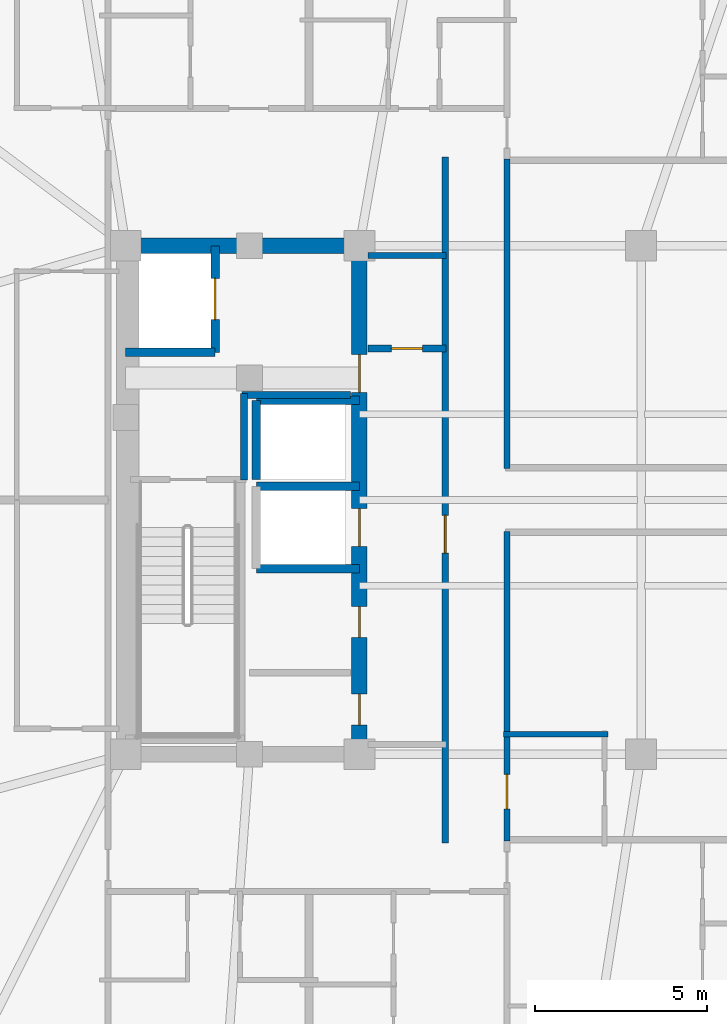
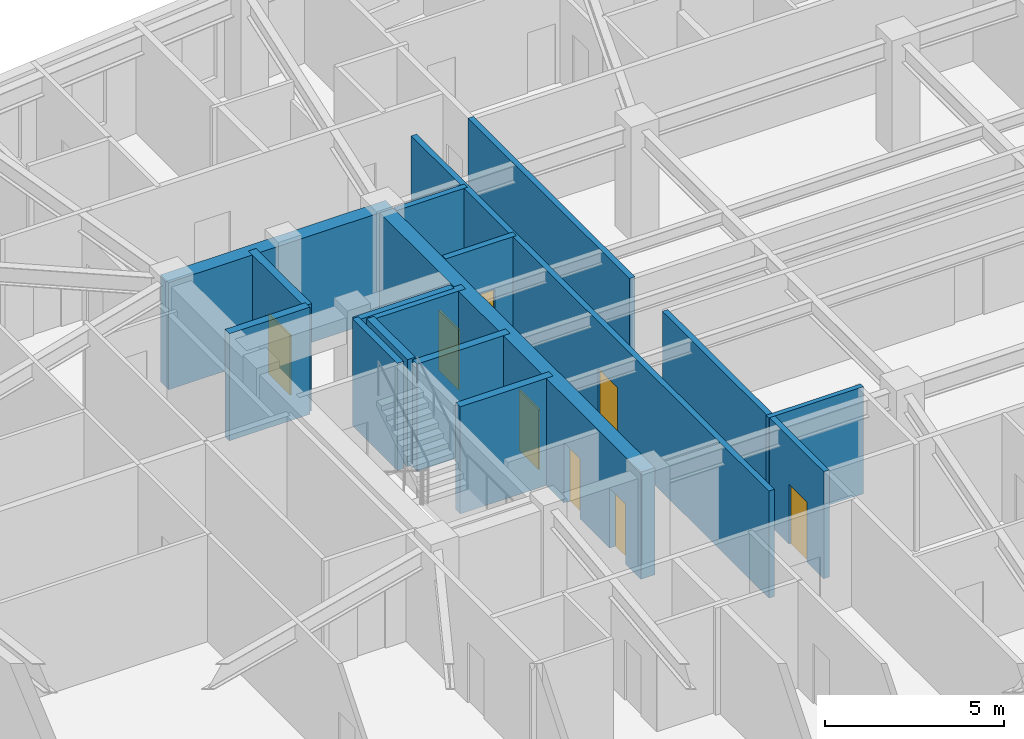
# One storey, part 4 of 12: 16 walls, 8 doors, 8 openings.
"""IFC4 building model written with IfcOpenShell, lengths in metres."""

import ifcopenshell
import ifcopenshell.guid

model = None  # the IFC model being written
_history = None  # IfcOwnerHistory: only IFC2X3 demands one
_inside = {}  # id of a spatial element -> (the spatial element, [elements in it])
_under = {}  # id of a project, library or spatial element -> (it, [spatial elements below it])
_declared = {}  # id of a project -> (the project, [libraries it declares])
_typed = {}  # id of a type object -> (the type object, [elements of that type])
_made_of = {}  # id of a material, layer set ... -> (it, [elements and type objects made of it])


def new_model(schema):
    """Start an empty IFC model of exactly this schema.

    Asked for "IFC4X3", IfcOpenShell would pick the latest addendum, in which some entities
    have other attributes; the version numbers below select the first issue.
    IFC2X3 requires an IfcOwnerHistory on every rooted entity: one is made here for all.
    """
    global model, _history
    if schema == "IFC4X3":
        model = ifcopenshell.file(schema_version=(4, 3, 0, 0))
    else:
        model = ifcopenshell.file(schema=schema)
    _inside.clear()
    _under.clear()
    _declared.clear()
    _typed.clear()
    _made_of.clear()
    _history = None
    if model.schema == "IFC2X3":
        org = make("IfcOrganization", Name="unknown")
        user = make(
            "IfcPersonAndOrganization",
            ThePerson=make("IfcPerson", FamilyName="unknown"),
            TheOrganization=org,
        )
        app = make(
            "IfcApplication",
            ApplicationDeveloper=org,
            Version="unknown",
            ApplicationFullName="unknown",
            ApplicationIdentifier="unknown",
        )
        _history = make(
            "IfcOwnerHistory",
            OwningUser=user,
            OwningApplication=app,
            ChangeAction="ADDED",
            CreationDate=0,
        )
    return model


def make(cls, **values):
    """One entity of the class cls with the attributes given. An attribute that is None is left unset."""
    return model.create_entity(
        cls, **{name: value for name, value in values.items() if value is not None}
    )


def rooted(cls, **values):
    """An entity with a GlobalId (a new one), such as an element, a storey or a relation."""
    return make(cls, GlobalId=ifcopenshell.guid.new(), OwnerHistory=_history, **values)


def si_unit(unit_type, name, prefix=None):
    """IfcSIUnit, for example si_unit("LENGTHUNIT", "METRE", prefix="MILLI")."""
    return make("IfcSIUnit", UnitType=unit_type, Prefix=prefix, Name=name)


def assignment(units):
    """IfcUnitAssignment: the units of a project."""
    return None if units is None else make("IfcUnitAssignment", Units=units)


def point(xyz):
    """IfcCartesianPoint."""
    return None if xyz is None else make("IfcCartesianPoint", Coordinates=xyz)


def direction(xyz):
    """IfcDirection."""
    return None if xyz is None else make("IfcDirection", DirectionRatios=xyz)


def frame(location, z_axis=None, x_axis=None):
    """IfcAxis2Placement3D, a coordinate frame: its origin and axes. An axis left out is left unset."""
    return make(
        "IfcAxis2Placement3D",
        Location=point(location),
        Axis=direction(z_axis),
        RefDirection=direction(x_axis),
    )


def frame_2d(location, x_axis=None):
    """IfcAxis2Placement2D, a coordinate frame in the plane: its origin and x axis."""
    return make(
        "IfcAxis2Placement2D", Location=point(location), RefDirection=direction(x_axis)
    )


def origin():
    """The frame at (0, 0, 0) with its axes left unset."""
    return frame((0.0, 0.0, 0.0))


def place(relative_to, where):
    """IfcLocalPlacement: puts the frame where relative to a parent placement (None: the world)."""
    return make(
        "IfcLocalPlacement", PlacementRelTo=relative_to, RelativePlacement=where
    )


def context(
    kind, dimensions, precision=None, world=None, true_north=None, identifier=None
):
    """IfcGeometricRepresentationContext, for example the 3D "Model" context."""
    return make(
        "IfcGeometricRepresentationContext",
        ContextIdentifier=identifier,
        ContextType=kind,
        CoordinateSpaceDimension=dimensions,
        Precision=precision,
        WorldCoordinateSystem=world,
        TrueNorth=true_north,
    )


def subcontext(parent, identifier, kind, view, scale=None):
    """IfcGeometricRepresentationSubContext, for example "Body" below "Model"."""
    return make(
        "IfcGeometricRepresentationSubContext",
        ContextIdentifier=identifier,
        ContextType=kind,
        ParentContext=parent,
        TargetScale=scale,
        TargetView=view,
    )


def project(units=None, contexts=None):
    """IfcProject with its units and contexts."""
    return rooted(
        "IfcProject",
        Name="project",
        RepresentationContexts=contexts,
        UnitsInContext=assignment(units),
    )


def spatial(cls, under=None, at=None, **own):
    """A site, building, storey or space (cls), placed at a placement, below another one or the project."""
    s = rooted(cls, ObjectPlacement=at, **own)
    if under is not None:
        _under.setdefault(under.id(), (under, []))[1].append(s)
    return s


def profile(cls, at=None, kind="AREA", **sizes):
    """A parametric profile (cls). Its sizes go by their IFC names, for example OverallWidth=200.0."""
    return make(cls, ProfileType=kind, Position=at, **sizes)


def rectangle(**sizes):
    """IfcRectangleProfileDef."""
    return profile("IfcRectangleProfileDef", **sizes)


def extrude(swept, where, along, depth):
    """IfcExtrudedAreaSolid: the profile swept, set in the frame where, extruded along a direction by depth."""
    return make(
        "IfcExtrudedAreaSolid",
        SweptArea=swept,
        Position=where,
        ExtrudedDirection=direction(along),
        Depth=depth,
    )


def shape(context_of_items, identifier, shape_type, items):
    """IfcShapeRepresentation: the items that make up one representation, for example the "Body"."""
    return make(
        "IfcShapeRepresentation",
        ContextOfItems=context_of_items,
        RepresentationIdentifier=identifier,
        RepresentationType=shape_type,
        Items=items,
    )


def material(Name=None, Category=None):
    """IfcMaterial."""
    return make("IfcMaterial", Name=Name, Category=Category)


def layer(
    of_material, thickness, ventilated=None, Name=None, Category=None, Priority=None
):
    """IfcMaterialLayer: one layer of a wall or slab, of a material (None: an air gap)."""
    return make(
        "IfcMaterialLayer",
        Material=of_material,
        LayerThickness=thickness,
        IsVentilated=ventilated,
        Name=Name,
        Category=Category,
        Priority=Priority,
    )


def layer_set(layers, Name=None):
    """IfcMaterialLayerSet."""
    return make("IfcMaterialLayerSet", MaterialLayers=layers, LayerSetName=Name)


def made_of(thing, what):
    """Note that an element or type object is made of a material, layer set ...; save() writes the relation."""
    if what is not None:
        _made_of.setdefault(what.id(), (what, []))[1].append(thing)
    return thing


def type_object(cls, material=None, **own):
    """A type object (cls), such as IfcWallType, which elements share."""
    return made_of(rooted(cls, **own), material)


def element(
    cls,
    number,
    at=None,
    inside=None,
    cuts=None,
    type_object=None,
    material=None,
    context=None,
    identifier="Body",
    shape_type=None,
    held_by="IfcProductDefinitionShape",
    body=None,
    shapes=None,
    **own,
):
    """One element of the class cls, such as IfcWall. Its Tag is "e" and its number.

    at: its placement. inside: the storey or other place that contains it. cuts: it is an
    opening in that element (IfcRelVoidsElement). A single representation is given by context,
    identifier, shape_type and body (its items); several are given by shapes. held_by: the class
    of the entity that holds the representations. save() writes the other relations.
    """
    e = rooted(cls, Tag="e%d" % number, ObjectPlacement=at, **own)
    if body is not None:
        shapes = [shape(context, identifier, shape_type, body)]
    if shapes is not None:
        e.Representation = make(held_by, Representations=shapes)
    if inside is not None:
        _inside.setdefault(inside.id(), (inside, []))[1].append(e)
    if cuts is not None:
        rooted(
            "IfcRelVoidsElement", RelatingBuildingElement=cuts, RelatedOpeningElement=e
        )
    if type_object is not None:
        _typed.setdefault(type_object.id(), (type_object, []))[1].append(e)
    return made_of(e, material)


def fill(opening, filler):
    """IfcRelFillsElement: the door or window that sits in an opening."""
    return rooted(
        "IfcRelFillsElement",
        RelatingOpeningElement=opening,
        RelatedBuildingElement=filler,
    )


def aggregate(whole, parts):
    """IfcRelAggregates: a whole, such as a stair, and the parts it consists of."""
    return rooted("IfcRelAggregates", RelatingObject=whole, RelatedObjects=parts)


def save(model, path):
    """Write the relations noted so far, then the file.

    IfcRelAggregates (storeys below a building ...), IfcRelContainedInSpatialStructure (elements
    in a storey), IfcRelDefinesByType, IfcRelAssociatesMaterial and IfcRelDeclares: one each for
    every whole, place, type object, material and project.
    """
    for whole, parts in _under.values():
        aggregate(whole, parts)
    for where, things in _inside.values():
        rooted(
            "IfcRelContainedInSpatialStructure",
            RelatedElements=things,
            RelatingStructure=where,
        )
    for kind, things in _typed.values():
        rooted("IfcRelDefinesByType", RelatedObjects=things, RelatingType=kind)
    for what, things in _made_of.values():
        rooted("IfcRelAssociatesMaterial", RelatedObjects=things, RelatingMaterial=what)
    for by, libraries in _declared.values():
        rooted("IfcRelDeclares", RelatingContext=by, RelatedDefinitions=libraries)
    model.write(path)


model = new_model("IFC4")

# Units and contexts
model_context = context("Model", 3, precision=1e-05, world=origin(), true_north=direction((0.0, 1.0)))
body_context = subcontext(model_context, "Body", "Model", "MODEL_VIEW")
ifc_project = project(units=[si_unit("LENGTHUNIT", "METRE"), si_unit("AREAUNIT", "SQUARE_METRE"), si_unit("VOLUMEUNIT", "CUBIC_METRE"), si_unit("PLANEANGLEUNIT", "RADIAN"), si_unit("MASSUNIT", "GRAM", prefix="KILO")], contexts=[model_context])

# Site, building, storey
site_placement = place(None, origin())
site = spatial("IfcSite", under=ifc_project, at=site_placement, CompositionType="ELEMENT")
building_placement = place(site_placement, origin())
building = spatial("IfcBuilding", under=site, at=building_placement, Name="Voryun Gate Residences", CompositionType="ELEMENT")
storey_placement = place(building_placement, frame((0.0, 0.0, 152.10009765625)))
storey = spatial("IfcBuildingStorey", under=building, at=storey_placement, Name="L37", CompositionType="ELEMENT", Elevation=152.10009765625)

# Wall
ifc_material_1 = material(Name="Concrete C50/60", Category="concrete")
ifc_layer_1 = layer(ifc_material_1, 0.449951171875, Name="CW_CORE_450")
ifc_layer_set_1 = layer_set([ifc_layer_1], Name="Concrete C50/60")
wall_type_1 = type_object("IfcWallType", Name="CW_CORE_450", PredefinedType="SHEAR", material=ifc_layer_set_1)
wall_1_placement = place(storey_placement, frame((-19.425048828125, 7.39990234375, 0.0), z_axis=(0.0, 0.0, 1.0), x_axis=(1.0, 0.0, 0.0)))
element("IfcWall", 1, at=wall_1_placement, inside=storey, type_object=wall_type_1, Name="L37 Core shear wall CW-L37-WN", PredefinedType="SHEAR", context=body_context, shape_type="SweptSolid", body=[
    extrude(rectangle(XDim=7.25, YDim=0.449951171875, at=frame_2d((3.625, 0.0))), origin(), (0.0, 0.0, 1.0), 3.64990234375),
])

# Wall, openings, doors
wall_2_placement = place(storey_placement, frame((-12.39990234375, -7.39990234375, 0.0), z_axis=(0.0, 0.0, 1.0), x_axis=(0.0, 1.0, 0.0)))
wall_2 = element("IfcWall", 2, at=wall_2_placement, inside=storey, type_object=wall_type_1, Name="L37 Core shear wall CW-L37-WE", PredefinedType="SHEAR", context=body_context, shape_type="SweptSolid", body=[
    extrude(rectangle(XDim=14.7998046875, YDim=0.449951171875, at=frame_2d((7.39990234375, 0.0))), origin(), (0.0, 0.0, 1.0), 3.64990234375),
])
opening_1_placement = place(wall_2_placement, frame((6.050048828125, 0.0, 0.0)))
opening_1 = element("IfcOpeningElement", 3, at=opening_1_placement, cuts=wall_2, Name="Opening LD2", PredefinedType="OPENING", context=body_context, shape_type="SweptSolid", body=[
    extrude(rectangle(XDim=1.10009765625, YDim=2.050048828125, at=frame_2d((0.550048828125, 1.02490234375))), frame((0.0, 0.235107421875, 0.0), z_axis=(0.0, -1.0, 0.0), x_axis=(1.0, 0.0, 0.0)), (0.0, 0.0, 1.0), 0.469970703125),
])
opening_2_placement = place(wall_2_placement, frame((10.530029296875, 0.0, 0.0)))
opening_2 = element("IfcOpeningElement", 4, at=opening_2_placement, cuts=wall_2, Name="Opening D-FD60-2", PredefinedType="OPENING", context=body_context, shape_type="SweptSolid", body=[
    extrude(rectangle(XDim=1.10009765625, YDim=2.050048828125, at=frame_2d((0.550048828125, 1.02490234375))), frame((0.0, 0.235107421875, 0.0), z_axis=(0.0, -1.0, 0.0), x_axis=(1.0, 0.0, 0.0)), (0.0, 0.0, 1.0), 0.469970703125),
])
opening_3_placement = place(wall_2_placement, frame((0.85009765625, 0.0, 0.0)))
opening_3 = element("IfcOpeningElement", 5, at=opening_3_placement, cuts=wall_2, Name="Opening D-FD60-4", PredefinedType="OPENING", context=body_context, shape_type="SweptSolid", body=[
    extrude(rectangle(XDim=0.89990234375, YDim=2.050048828125, at=frame_2d((0.449951171875, 1.02490234375))), frame((0.0, 0.235107421875, 0.0), z_axis=(0.0, -1.0, 0.0), x_axis=(1.0, 0.0, 0.0)), (0.0, 0.0, 1.0), 0.469970703125),
])
opening_4_placement = place(wall_2_placement, frame((3.39990234375, 0.0, 0.0)))
opening_4 = element("IfcOpeningElement", 6, at=opening_4_placement, cuts=wall_2, Name="Opening D-FD60-4", PredefinedType="OPENING", context=body_context, shape_type="SweptSolid", body=[
    extrude(rectangle(XDim=0.89990234375, YDim=2.050048828125, at=frame_2d((0.449951171875, 1.02490234375))), frame((0.0, 0.235107421875, 0.0), z_axis=(0.0, -1.0, 0.0), x_axis=(1.0, 0.0, 0.0)), (0.0, 0.0, 1.0), 0.469970703125),
])
ifc_material_2 = material(Name="Painted steel fire door", Category="steel")
door_type_1 = type_object("IfcDoorType", Name="DR_FD60_FFLOB_1100", OperationType="NOTDEFINED", PredefinedType="DOOR", material=ifc_material_2)
door_1_placement = place(opening_2_placement, origin())
door_1 = element("IfcDoor", 7, at=door_1_placement, inside=storey, type_object=door_type_1, Name="Door DR-L37-CLOB-W", OperationType="SINGLE_SWING_LEFT", OverallHeight=2.050048828125, OverallWidth=1.10009765625, PredefinedType="DOOR", context=body_context, shape_type="SweptSolid", body=[
    extrude(rectangle(XDim=1.10009765625, YDim=2.050048828125, at=frame_2d((0.550048828125, 1.02490234375))), frame((0.0, 0.02490234375, 0.0), z_axis=(0.0, -1.0, 0.0), x_axis=(1.0, 0.0, 0.0)), (0.0, 0.0, 1.0), 0.050048828125),
])
fill(opening_2, door_1)
ifc_material_3 = material(Name="Painted steel fire door", Category="steel")
door_type_2 = type_object("IfcDoorType", Name="DR_FD60_RISER_900", OperationType="NOTDEFINED", PredefinedType="DOOR", material=ifc_material_3)
door_2_placement = place(opening_3_placement, origin())
door_2 = element("IfcDoor", 8, at=door_2_placement, inside=storey, type_object=door_type_2, Name="Door DR-L37-RECWB1", OperationType="SINGLE_SWING_LEFT", OverallHeight=2.050048828125, OverallWidth=0.89990234375, PredefinedType="DOOR", context=body_context, shape_type="SweptSolid", body=[
    extrude(rectangle(XDim=0.89990234375, YDim=2.050048828125, at=frame_2d((0.449951171875, 1.02490234375))), frame((0.0, 0.02490234375, 0.0), z_axis=(0.0, -1.0, 0.0), x_axis=(1.0, 0.0, 0.0)), (0.0, 0.0, 1.0), 0.050048828125),
])
fill(opening_3, door_2)
door_3_placement = place(opening_4_placement, origin())
door_3 = element("IfcDoor", 9, at=door_3_placement, inside=storey, type_object=door_type_2, Name="Door DR-L37-RECWB2", OperationType="SINGLE_SWING_RIGHT", OverallHeight=2.050048828125, OverallWidth=0.89990234375, PredefinedType="DOOR", context=body_context, shape_type="SweptSolid", body=[
    extrude(rectangle(XDim=0.89990234375, YDim=2.050048828125, at=frame_2d((0.449951171875, 1.02490234375))), frame((0.0, 0.02490234375, 0.0), z_axis=(0.0, -1.0, 0.0), x_axis=(1.0, 0.0, 0.0)), (0.0, 0.0, 1.0), 0.050048828125),
])
fill(opening_4, door_3)
ifc_material_4 = material(Name="Anodised aluminium", Category="aluminium")
door_type_3 = type_object("IfcDoorType", Name="DR_LD_PASS_1100", OperationType="NOTDEFINED", PredefinedType="DOOR", material=ifc_material_4)
door_4_placement = place(opening_1_placement, origin())
door_4 = element("IfcDoor", 10, at=door_4_placement, inside=storey, type_object=door_type_3, Name="Lift EL-P4 sliding landing door L37", OperationType="SLIDING_TO_LEFT", OverallHeight=2.050048828125, OverallWidth=1.10009765625, PredefinedType="DOOR", context=body_context, shape_type="SweptSolid", body=[
    extrude(rectangle(XDim=1.10009765625, YDim=2.050048828125, at=frame_2d((0.550048828125, 1.02490234375))), frame((0.0, 0.02490234375, 0.0), z_axis=(0.0, -1.0, 0.0), x_axis=(1.0, 0.0, 0.0)), (0.0, 0.0, 1.0), 0.050048828125),
])
fill(opening_1, door_4)

# Wall
ifc_material_5 = material(Name="Gypsum acoustic fireboard")
ifc_layer_2 = layer(ifc_material_5, 0.179931640625, Name="W_CORR_RATED_180")
ifc_layer_set_2 = layer_set([ifc_layer_2], Name="Gypsum acoustic fireboard")
wall_type_2 = type_object("IfcWallType", Name="W_CORR_RATED_180", PredefinedType="PARTITIONING", material=ifc_layer_set_2)
wall_3_placement = place(storey_placement, frame((-12.14990234375, 7.1201171875, 0.0), z_axis=(0.0, 0.0, 1.0), x_axis=(1.0, 0.0, 0.0)))
element("IfcWall", 11, at=wall_3_placement, inside=storey, type_object=wall_type_2, Name="Partition wall WP-L37-PLBN-W", PredefinedType="PARTITIONING", context=body_context, shape_type="SweptSolid", body=[
    extrude(rectangle(XDim=2.27001953125, YDim=0.179931640625, at=frame_2d((1.135009765625, 0.0))), origin(), (0.0, 0.0, 1.0), 3.64990234375),
])

# Wall, opening, door
wall_4_placement = place(storey_placement, frame((-9.89990234375, -9.97998046875, 0.0), z_axis=(0.0, 0.0, 1.0), x_axis=(0.0, 1.0, 0.0)))
wall_4 = element("IfcWall", 12, at=wall_4_placement, inside=storey, type_object=wall_type_2, Name="Partition wall WP-L37-PLBW-FULL", PredefinedType="PARTITIONING", context=body_context, shape_type="SweptSolid", body=[
    extrude(rectangle(XDim=19.9599609375, YDim=0.179931640625, at=frame_2d((9.97998046875, 0.0))), origin(), (0.0, 0.0, 1.0), 3.64990234375),
])
opening_5_placement = place(wall_4_placement, frame((8.431884765625, 0.0, 0.0)))
opening_5 = element("IfcOpeningElement", 13, at=opening_5_placement, cuts=wall_4, Name="Opening D-FD60-2", PredefinedType="OPENING", context=body_context, shape_type="SweptSolid", body=[
    extrude(rectangle(XDim=1.10009765625, YDim=2.050048828125, at=frame_2d((0.550048828125, 1.02490234375))), frame((0.0, 0.099853515625, 0.0), z_axis=(0.0, -1.0, 0.0), x_axis=(1.0, 0.0, 0.0)), (0.0, 0.0, 1.0), 0.199951171875),
])
door_5_placement = place(opening_5_placement, origin())
door_5 = element("IfcDoor", 14, at=door_5_placement, inside=storey, type_object=door_type_1, Name="Door DR-L37-PLBW-COR", OperationType="SINGLE_SWING_LEFT", OverallHeight=2.050048828125, OverallWidth=1.10009765625, PredefinedType="DOOR", context=body_context, shape_type="SweptSolid", body=[
    extrude(rectangle(XDim=1.10009765625, YDim=2.050048828125, at=frame_2d((0.550048828125, 1.02490234375))), frame((0.0, 0.02490234375, 0.0), z_axis=(0.0, -1.0, 0.0), x_axis=(1.0, 0.0, 0.0)), (0.0, 0.0, 1.0), 0.050048828125),
])
fill(opening_5, door_5)

# Wall
wall_5_placement = place(storey_placement, frame((-8.10009765625, 0.919921875, 0.0), z_axis=(0.0, 0.0, 1.0), x_axis=(0.0, 1.0, 0.0)))
element("IfcWall", 15, at=wall_5_placement, inside=storey, type_object=wall_type_2, Name="Partition wall WP-L37-Z2WL1", PredefinedType="PARTITIONING", context=body_context, shape_type="SweptSolid", body=[
    extrude(rectangle(XDim=9.010009765625, YDim=0.179931640625, at=frame_2d((4.5048828125, 0.0))), origin(), (0.0, 0.0, 1.0), 3.64990234375),
])

# Wall, opening, door
wall_6_placement = place(storey_placement, frame((-8.10009765625, -9.929931640625, 0.0), z_axis=(0.0, 0.0, 1.0), x_axis=(0.0, 1.0, 0.0)))
wall_6 = element("IfcWall", 16, at=wall_6_placement, inside=storey, type_object=wall_type_2, Name="Partition wall WP-L37-Z2WL2", PredefinedType="PARTITIONING", context=body_context, shape_type="SweptSolid", body=[
    extrude(rectangle(XDim=9.010009765625, YDim=0.179931640625, at=frame_2d((4.5048828125, 0.0))), origin(), (0.0, 0.0, 1.0), 3.64990234375),
])
opening_6_placement = place(wall_6_placement, frame((0.941650390625, 0.0, 0.0)))
opening_6 = element("IfcOpeningElement", 17, at=opening_6_placement, cuts=wall_6, Name="Opening D-AWC-1", PredefinedType="OPENING", context=body_context, shape_type="SweptSolid", body=[
    extrude(rectangle(XDim=1.0, YDim=2.050048828125, at=frame_2d((0.5, 1.02490234375))), frame((0.0, 0.099853515625, 0.0), z_axis=(0.0, -1.0, 0.0), x_axis=(1.0, 0.0, 0.0)), (0.0, 0.0, 1.0), 0.199951171875),
])
ifc_material_6 = material(Name="Architectural oak veneer")
door_type_4 = type_object("IfcDoorType", Name="DR_ACC_WC_1000", OperationType="NOTDEFINED", PredefinedType="DOOR", material=ifc_material_6)
door_6_placement = place(opening_6_placement, origin())
door_6 = element("IfcDoor", 18, at=door_6_placement, inside=storey, type_object=door_type_4, Name="Door DR-L37-CMWC-D", OperationType="SINGLE_SWING_LEFT", OverallHeight=2.050048828125, OverallWidth=1.0, PredefinedType="DOOR", context=body_context, shape_type="SweptSolid", body=[
    extrude(rectangle(XDim=1.0, YDim=2.050048828125, at=frame_2d((0.5, 1.02490234375))), frame((0.0, 0.02490234375, 0.0), z_axis=(0.0, -1.0, 0.0), x_axis=(1.0, 0.0, 0.0)), (0.0, 0.0, 1.0), 0.050048828125),
])
fill(opening_6, door_6)

# Walls
ifc_material_7 = material(Name="Concrete C40/50", Category="concrete")
ifc_layer_3 = layer(ifc_material_7, 0.199951171875, Name="W_FF_LOBBY_200")
ifc_layer_set_3 = layer_set([ifc_layer_3], Name="Concrete C40/50")
wall_type_3 = type_object("IfcWallType", Name="W_FF_LOBBY_200", PredefinedType="PARTITIONING", material=ifc_layer_set_3)
wall_7_placement = place(storey_placement, frame((-15.760009765625, 0.580078125, 0.0), z_axis=(0.0, 0.0, 1.0), x_axis=(0.0, 1.0, 0.0)))
element("IfcWall", 19, at=wall_7_placement, inside=storey, type_object=wall_type_3, Name="Partition wall WP-L37-FFP0-W", PredefinedType="PARTITIONING", context=body_context, shape_type="SweptSolid", body=[
    extrude(rectangle(XDim=2.52001953125, YDim=0.199951171875, at=frame_2d((1.260009765625, 0.0))), origin(), (0.0, 0.0, 1.0), 3.64990234375),
])
wall_8_placement = place(storey_placement, frame((-15.820068359375, 3.06005859375, 0.0), z_axis=(0.0, 0.0, 1.0), x_axis=(1.0, 0.0, 0.0)))
element("IfcWall", 20, at=wall_8_placement, inside=storey, type_object=wall_type_3, Name="Partition wall WP-L37-FFPS-W", PredefinedType="PARTITIONING", context=body_context, shape_type="SweptSolid", body=[
    extrude(rectangle(XDim=3.16015625, YDim=0.199951171875, at=frame_2d((1.580078125, 0.0))), origin(), (0.0, 0.0, 1.0), 3.64990234375),
])

# Wall, opening, door
wall_9_placement = place(storey_placement, frame((-12.14990234375, 4.409912109375, 0.0), z_axis=(0.0, 0.0, 1.0), x_axis=(1.0, 0.0, 0.0)))
wall_9 = element("IfcWall", 21, at=wall_9_placement, inside=storey, type_object=wall_type_3, Name="Partition wall WP-L37-CSFLKS-W", PredefinedType="PARTITIONING", context=body_context, shape_type="SweptSolid", body=[
    extrude(rectangle(XDim=2.27001953125, YDim=0.199951171875, at=frame_2d((1.135009765625, 0.0))), origin(), (0.0, 0.0, 1.0), 3.64990234375),
])
opening_7_placement = place(wall_9_placement, frame((0.68505859375, 0.0, 0.0)))
opening_7 = element("IfcOpeningElement", 22, at=opening_7_placement, cuts=wall_9, Name="Opening D-FD60-4", PredefinedType="OPENING", context=body_context, shape_type="SweptSolid", body=[
    extrude(rectangle(XDim=0.89990234375, YDim=2.050048828125, at=frame_2d((0.449951171875, 1.02490234375))), frame((0.0, 0.110107421875, 0.0), z_axis=(0.0, -1.0, 0.0), x_axis=(1.0, 0.0, 0.0)), (0.0, 0.0, 1.0), 0.219970703125),
])
door_7_placement = place(opening_7_placement, origin())
door_7 = element("IfcDoor", 23, at=door_7_placement, inside=storey, type_object=door_type_2, Name="Door DR-L37-CSFLK-W", OperationType="SINGLE_SWING_LEFT", OverallHeight=2.050048828125, OverallWidth=0.89990234375, PredefinedType="DOOR", context=body_context, shape_type="SweptSolid", body=[
    extrude(rectangle(XDim=0.89990234375, YDim=2.050048828125, at=frame_2d((0.449951171875, 1.02490234375))), frame((0.0, 0.02490234375, 0.0), z_axis=(0.0, -1.0, 0.0), x_axis=(1.0, 0.0, 0.0)), (0.0, 0.0, 1.0), 0.050048828125),
])
fill(opening_7, door_7)

# Wall
ifc_material_8 = material(Name="Concrete C50/60", Category="concrete")
ifc_layer_4 = layer(ifc_material_8, 0.25, Name="W_SHAFT_RC250")
ifc_layer_set_4 = layer_set([ifc_layer_4], Name="Concrete C50/60")
wall_type_4 = type_object("IfcWallType", Name="W_SHAFT_RC250", PredefinedType="SOLIDWALL", material=ifc_layer_set_4)
wall_10_placement = place(storey_placement, frame((-19.199951171875, 4.300048828125, 0.0), z_axis=(0.0, 0.0, 1.0), x_axis=(1.0, 0.0, 0.0)))
element("IfcWall", 24, at=wall_10_placement, inside=storey, type_object=wall_type_4, Name="Lift shaft wall WSH-L37-EL-FF-W1-S", PredefinedType="SOLIDWALL", context=body_context, shape_type="SweptSolid", body=[
    extrude(rectangle(XDim=2.599853515625, YDim=0.25, at=frame_2d((1.2998046875, 0.0))), origin(), (0.0, 0.0, 1.0), 3.64990234375),
])

# Wall, opening, door
wall_11_placement = place(storey_placement, frame((-16.60009765625, 4.300048828125, 0.0), z_axis=(0.0, 0.0, 1.0), x_axis=(0.0, 1.0, 0.0)))
wall_11 = element("IfcWall", 25, at=wall_11_placement, inside=storey, type_object=wall_type_4, Name="Lift shaft wall WSH-L37-EL-FF-W1-E", PredefinedType="SOLIDWALL", context=body_context, shape_type="SweptSolid", body=[
    extrude(rectangle(XDim=3.099853515625, YDim=0.25, at=frame_2d((1.5498046875, 0.0))), origin(), (0.0, 0.0, 1.0), 3.64990234375),
])
opening_8_placement = place(wall_11_placement, frame((0.949951171875, 0.0, 0.0)))
opening_8 = element("IfcOpeningElement", 26, at=opening_8_placement, cuts=wall_11, Name="Opening LD1", PredefinedType="OPENING", context=body_context, shape_type="SweptSolid", body=[
    extrude(rectangle(XDim=1.199951171875, YDim=2.050048828125, at=frame_2d((0.60009765625, 1.02490234375))), frame((0.0, 0.135009765625, 0.0), z_axis=(0.0, -1.0, 0.0), x_axis=(1.0, 0.0, 0.0)), (0.0, 0.0, 1.0), 0.27001953125),
])
ifc_material_9 = material(Name="Anodised aluminium", Category="aluminium")
door_type_5 = type_object("IfcDoorType", Name="DR_LD_FF_1200", OperationType="NOTDEFINED", PredefinedType="DOOR", material=ifc_material_9)
door_8_placement = place(opening_8_placement, origin())
door_8 = element("IfcDoor", 27, at=door_8_placement, inside=storey, type_object=door_type_5, Name="Lift EL-FF-W1 sliding landing door L37", OperationType="SLIDING_TO_LEFT", OverallHeight=2.050048828125, OverallWidth=1.199951171875, PredefinedType="DOOR", context=body_context, shape_type="SweptSolid", body=[
    extrude(rectangle(XDim=1.199951171875, YDim=2.050048828125, at=frame_2d((0.60009765625, 1.02490234375))), frame((0.0, 0.02490234375, 0.0), z_axis=(0.0, -1.0, 0.0), x_axis=(1.0, 0.0, 0.0)), (0.0, 0.0, 1.0), 0.050048828125),
])
fill(opening_8, door_8)

# Walls
for number, where, z_axis, x_axis, name in (
    (28, (-15.39990234375, -2.0, 0.0), (0.0, 0.0, 1.0), (1.0, 0.0, 0.0), "Lift shaft wall WSH-L37-EL-P4-S"),
    (29, (-12.39990234375, 0.39990234375, 0.0), (0.0, 0.0, 1.0), (-1.0, 0.0, 0.0), "Lift shaft wall WSH-L37-EL-P4-N"),
    (30, (-12.39990234375, 2.89990234375, 0.0), (0.0, 0.0, 1.0), (-1.0, 0.0, 0.0), "Lift shaft wall WSH-L37-EL-P7-N"),
):
    element("IfcWall", number, at=place(storey_placement, frame(where, z_axis=z_axis, x_axis=x_axis)), inside=storey, type_object=wall_type_4, Name=name, PredefinedType="SOLIDWALL", context=body_context, shape_type="SweptSolid", body=[
        extrude(rectangle(XDim=3.0, YDim=0.25, at=frame_2d((1.5, 0.0))), origin(), (0.0, 0.0, 1.0), 3.64990234375),
    ])
wall_12_placement = place(storey_placement, frame((-15.39990234375, 2.89990234375, 0.0), z_axis=(0.0, 0.0, 1.0), x_axis=(0.0, -1.0, 0.0)))
element("IfcWall", 31, at=wall_12_placement, inside=storey, type_object=wall_type_4, Name="Lift shaft wall WSH-L37-EL-P7-W", PredefinedType="SOLIDWALL", context=body_context, shape_type="SweptSolid", body=[
    extrude(rectangle(XDim=2.2998046875, YDim=0.25, at=frame_2d((1.14990234375, 0.0))), origin(), (0.0, 0.0, 1.0), 3.64990234375),
])
ifc_material_10 = material(Name="Gypsum moisture-resistant partition")
ifc_layer_5 = layer(ifc_material_10, 0.14990234375, Name="W_WET_PLUMB_150")
ifc_layer_set_5 = layer_set([ifc_layer_5], Name="Gypsum moisture-resistant partition")
wall_type_5 = type_object("IfcWallType", Name="W_WET_PLUMB_150", PredefinedType="PLUMBINGWALL", material=ifc_layer_set_5)
wall_13_placement = place(storey_placement, frame((-8.2099609375, -6.820068359375, 0.0), z_axis=(0.0, 0.0, 1.0), x_axis=(1.0, 0.0, 0.0)))
element("IfcWall", 32, at=wall_13_placement, inside=storey, type_object=wall_type_5, Name="Partition wall WP-L37-CMWCY", PredefinedType="PLUMBINGWALL", context=body_context, shape_type="SweptSolid", body=[
    extrude(rectangle(XDim=3.050048828125, YDim=0.14990234375, at=frame_2d((1.52490234375, 0.0))), origin(), (0.0, 0.0, 1.0), 3.64990234375),
])

save(model, "model.ifc")
